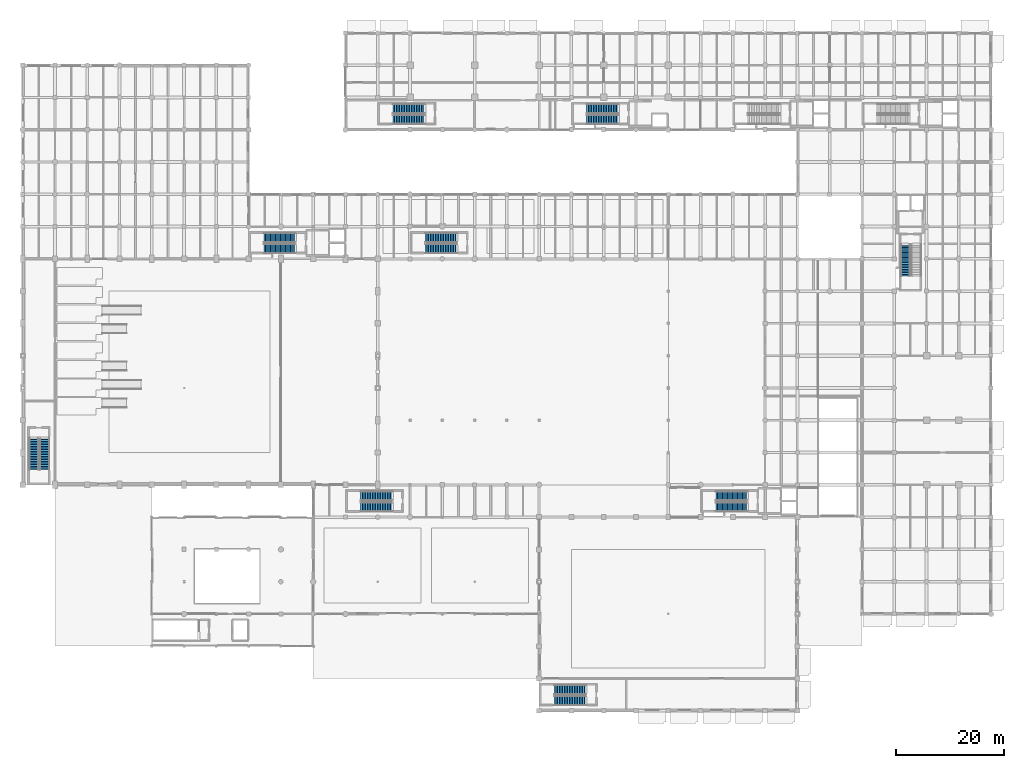
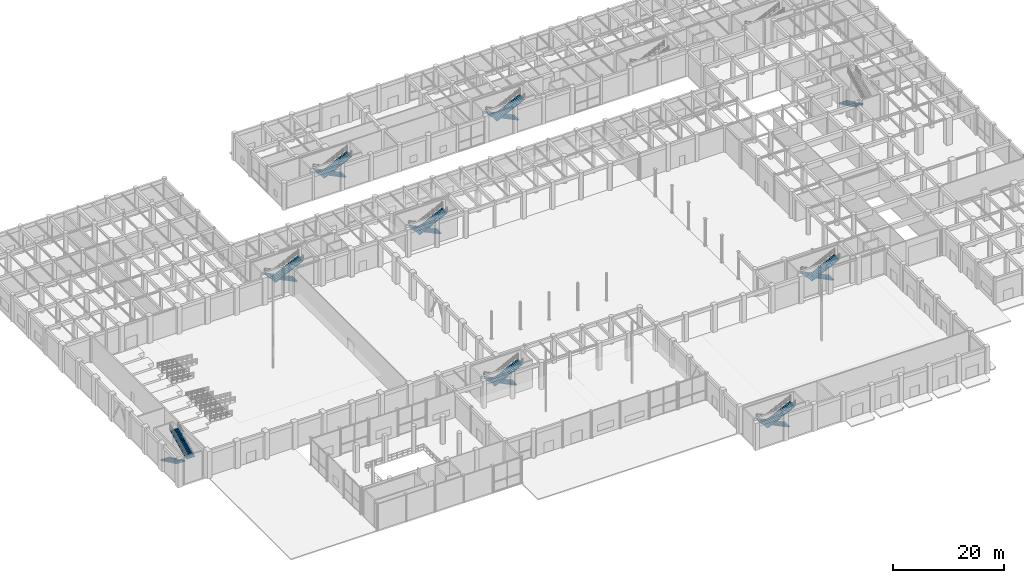
# One storey, part 92 of 106: 17 stair flights, 9 elements without a shape of their own.
"""IFC4 building model written with IfcOpenShell, lengths in metres."""

from ifc_helpers import new_model, si_unit, direction, frame, origin, place, context, subcontext, project, spatial, polyline, outline, extrude, material, type_object, element, aggregate, save


model = new_model("IFC4")

# Units and contexts
model_context = context("Model", 3, precision=1e-05, world=origin(), true_north=direction((0.0, 1.0)))
body_context = subcontext(model_context, "Body", "Model", "MODEL_VIEW")
ifc_project = project(units=[si_unit("LENGTHUNIT", "METRE"), si_unit("AREAUNIT", "SQUARE_METRE"), si_unit("VOLUMEUNIT", "CUBIC_METRE"), si_unit("PLANEANGLEUNIT", "RADIAN"), si_unit("MASSUNIT", "GRAM", prefix="KILO"), si_unit("THERMODYNAMICTEMPERATUREUNIT", "KELVIN"), si_unit("POWERUNIT", "WATT")], contexts=[model_context])

# Site, building, storey
site_placement = place(None, origin())
site = spatial("IfcSite", under=ifc_project, at=site_placement, CompositionType="ELEMENT")
building_placement = place(site_placement, origin())
building = spatial("IfcBuilding", under=site, at=building_placement, Name="Phaisarnlok Congress Hotel", CompositionType="ELEMENT")
storey_placement = place(building_placement, origin())
storey = spatial("IfcBuildingStorey", under=building, at=storey_placement, Name="L00", CompositionType="ELEMENT", Elevation=0.0)

# Stair, stair flights
ifc_material = material(Name="Concrete C40/50", Category="concrete")
stair_type = type_object("IfcStairType", Name="STR-DOG-02", PredefinedType="HALF_TURN_STAIR", material=ifc_material)
stair_1_placement = place(storey_placement, origin())
stair_1 = element("IfcStair", 1, at=stair_1_placement, inside=storey, type_object=stair_type, Name="L00 ST-01", PredefinedType="HALF_TURN_STAIR")
stair_flight_type = type_object("IfcStairFlightType", Name="SFL-RC-02", PredefinedType="STRAIGHT", material=ifc_material)
stair_flight_1_placement = place(storey_placement, frame((50.719970703125, 87.909912109375, 0.0), z_axis=(0.0, 0.0, 1.0), x_axis=(-1.0, 0.0, 0.0)))
stair_flight_1 = element("IfcStairFlight", 2, at=stair_flight_1_placement, type_object=stair_flight_type, Name="ST-01 flight 1", NumberOfRisers=20, NumberOfTreads=19, PredefinedType="STRAIGHT", RiserHeight=0.15, TreadLength=0.31, context=body_context, shape_type="SweptSolid", body=[
    extrude(outline(polyline([(0.0, 0.0), (0.0, 0.14990234375), (0.31005859375, 0.14990234375), (0.31005859375, 0.300048828125), (0.6201171875, 0.300048828125), (0.6201171875, 0.449951171875), (0.929931640625, 0.449951171875), (0.929931640625, 0.60009765625), (1.239990234375, 0.60009765625), (1.239990234375, 0.75), (1.550048828125, 0.75), (1.550048828125, 0.89990234375), (1.860107421875, 0.89990234375), (1.860107421875, 1.050048828125), (2.169921875, 1.050048828125), (2.169921875, 1.199951171875), (2.47998046875, 1.199951171875), (2.47998046875, 1.35009765625), (2.7900390625, 1.35009765625), (2.7900390625, 1.5), (3.10009765625, 1.5), (3.10009765625, 1.64990234375), (3.409912109375, 1.64990234375), (3.409912109375, 1.800048828125), (3.719970703125, 1.800048828125), (3.719970703125, 1.949951171875), (4.030029296875, 1.949951171875), (4.030029296875, 2.10009765625), (4.340087890625, 2.10009765625), (4.340087890625, 2.25), (4.64990234375, 2.25), (4.64990234375, 2.39990234375), (4.9599609375, 2.39990234375), (4.9599609375, 2.550048828125), (5.27001953125, 2.550048828125), (5.27001953125, 2.699951171875), (5.580078125, 2.699951171875), (5.580078125, 2.85009765625), (5.889892578125, 2.85009765625), (5.889892578125, 3.0), (5.889892578125, 2.683349609375), (0.34423828125, 0.0), (0.0, 0.0)])), frame((0.0, 0.89013671875, 0.0), z_axis=(0.0, -1.0, 0.0), x_axis=(1.0, 0.0, 0.0)), (0.0, 0.0, 1.0), 1.780029296875),
])
stair_flight_2_placement = place(storey_placement, frame((44.830078125, 85.889892578125, 3.0), z_axis=(0.0, 0.0, 1.0), x_axis=(1.0, 0.0, 0.0)))
stair_flight_2 = element("IfcStairFlight", 3, at=stair_flight_2_placement, type_object=stair_flight_type, Name="ST-01 flight 2", NumberOfRisers=20, NumberOfTreads=19, PredefinedType="STRAIGHT", RiserHeight=0.15, TreadLength=0.31, context=body_context, shape_type="SweptSolid", body=[
    extrude(outline(polyline([(0.0, 0.0), (0.0, 0.14990234375), (0.31005859375, 0.14990234375), (0.31005859375, 0.300048828125), (0.6201171875, 0.300048828125), (0.6201171875, 0.449951171875), (0.929931640625, 0.449951171875), (0.929931640625, 0.60009765625), (1.239990234375, 0.60009765625), (1.239990234375, 0.75), (1.550048828125, 0.75), (1.550048828125, 0.89990234375), (1.860107421875, 0.89990234375), (1.860107421875, 1.050048828125), (2.169921875, 1.050048828125), (2.169921875, 1.199951171875), (2.47998046875, 1.199951171875), (2.47998046875, 1.35009765625), (2.7900390625, 1.35009765625), (2.7900390625, 1.5), (3.10009765625, 1.5), (3.10009765625, 1.64990234375), (3.409912109375, 1.64990234375), (3.409912109375, 1.800048828125), (3.719970703125, 1.800048828125), (3.719970703125, 1.949951171875), (4.030029296875, 1.949951171875), (4.030029296875, 2.10009765625), (4.340087890625, 2.10009765625), (4.340087890625, 2.25), (4.64990234375, 2.25), (4.64990234375, 2.39990234375), (4.9599609375, 2.39990234375), (4.9599609375, 2.550048828125), (5.27001953125, 2.550048828125), (5.27001953125, 2.699951171875), (5.580078125, 2.699951171875), (5.580078125, 2.85009765625), (5.889892578125, 2.85009765625), (5.889892578125, 3.0), (5.889892578125, 2.683349609375), (0.34423828125, 0.0), (0.0, 0.0)])), frame((0.0, 0.89013671875, 0.0), z_axis=(0.0, -1.0, 0.0), x_axis=(1.0, 0.0, 0.0)), (0.0, 0.0, 1.0), 1.780029296875),
])
aggregate(stair_1, [stair_flight_1, stair_flight_2])

stair_2_placement = place(storey_placement, origin())
stair_2 = element("IfcStair", 4, at=stair_2_placement, inside=storey, type_object=stair_type, Name="L00 ST-02", PredefinedType="HALF_TURN_STAIR")
stair_flight_3_placement = place(storey_placement, frame((134.719970703125, 39.909912109375, 0.0), z_axis=(0.0, 0.0, 1.0), x_axis=(-1.0, 0.0, 0.0)))
stair_flight_3 = element("IfcStairFlight", 5, at=stair_flight_3_placement, type_object=stair_flight_type, Name="ST-02 flight 1", NumberOfRisers=20, NumberOfTreads=19, PredefinedType="STRAIGHT", RiserHeight=0.15, TreadLength=0.31, context=body_context, shape_type="SweptSolid", body=[
    extrude(outline(polyline([(0.0, 0.0), (0.0, 0.14990234375), (0.31005859375, 0.14990234375), (0.31005859375, 0.300048828125), (0.6201171875, 0.300048828125), (0.6201171875, 0.449951171875), (0.929931640625, 0.449951171875), (0.929931640625, 0.60009765625), (1.239990234375, 0.60009765625), (1.239990234375, 0.75), (1.550048828125, 0.75), (1.550048828125, 0.89990234375), (1.860107421875, 0.89990234375), (1.860107421875, 1.050048828125), (2.169921875, 1.050048828125), (2.169921875, 1.199951171875), (2.47998046875, 1.199951171875), (2.47998046875, 1.35009765625), (2.7900390625, 1.35009765625), (2.7900390625, 1.5), (3.10009765625, 1.5), (3.10009765625, 1.64990234375), (3.409912109375, 1.64990234375), (3.409912109375, 1.800048828125), (3.719970703125, 1.800048828125), (3.719970703125, 1.949951171875), (4.030029296875, 1.949951171875), (4.030029296875, 2.10009765625), (4.340087890625, 2.10009765625), (4.340087890625, 2.25), (4.64990234375, 2.25), (4.64990234375, 2.39990234375), (4.9599609375, 2.39990234375), (4.9599609375, 2.550048828125), (5.27001953125, 2.550048828125), (5.27001953125, 2.699951171875), (5.580078125, 2.699951171875), (5.580078125, 2.85009765625), (5.889892578125, 2.85009765625), (5.889892578125, 3.0), (5.889892578125, 2.683349609375), (0.34423828125, 0.0), (0.0, 0.0)])), frame((0.0, 0.89013671875, 0.0), z_axis=(0.0, -1.0, 0.0), x_axis=(1.0, 0.0, 0.0)), (0.0, 0.0, 1.0), 1.780029296875),
])
stair_flight_4_placement = place(storey_placement, frame((128.830078125, 37.889892578125, 3.0), z_axis=(0.0, 0.0, 1.0), x_axis=(1.0, 0.0, 0.0)))
stair_flight_4 = element("IfcStairFlight", 6, at=stair_flight_4_placement, type_object=stair_flight_type, Name="ST-02 flight 2", NumberOfRisers=20, NumberOfTreads=19, PredefinedType="STRAIGHT", RiserHeight=0.15, TreadLength=0.31, context=body_context, shape_type="SweptSolid", body=[
    extrude(outline(polyline([(0.0, 0.0), (0.0, 0.14990234375), (0.31005859375, 0.14990234375), (0.31005859375, 0.300048828125), (0.6201171875, 0.300048828125), (0.6201171875, 0.449951171875), (0.929931640625, 0.449951171875), (0.929931640625, 0.60009765625), (1.239990234375, 0.60009765625), (1.239990234375, 0.75), (1.550048828125, 0.75), (1.550048828125, 0.89990234375), (1.860107421875, 0.89990234375), (1.860107421875, 1.050048828125), (2.169921875, 1.050048828125), (2.169921875, 1.199951171875), (2.47998046875, 1.199951171875), (2.47998046875, 1.35009765625), (2.7900390625, 1.35009765625), (2.7900390625, 1.5), (3.10009765625, 1.5), (3.10009765625, 1.64990234375), (3.409912109375, 1.64990234375), (3.409912109375, 1.800048828125), (3.719970703125, 1.800048828125), (3.719970703125, 1.949951171875), (4.030029296875, 1.949951171875), (4.030029296875, 2.10009765625), (4.340087890625, 2.10009765625), (4.340087890625, 2.25), (4.64990234375, 2.25), (4.64990234375, 2.39990234375), (4.9599609375, 2.39990234375), (4.9599609375, 2.550048828125), (5.27001953125, 2.550048828125), (5.27001953125, 2.699951171875), (5.580078125, 2.699951171875), (5.580078125, 2.85009765625), (5.889892578125, 2.85009765625), (5.889892578125, 3.0), (5.889892578125, 2.683349609375), (0.34423828125, 0.0), (0.0, 0.0)])), frame((0.0, 0.89013671875, 0.0), z_axis=(0.0, -1.0, 0.0), x_axis=(1.0, 0.0, 0.0)), (0.0, 0.0, 1.0), 1.780029296875),
])
aggregate(stair_2, [stair_flight_3, stair_flight_4])

stair_3_placement = place(storey_placement, origin())
stair_3 = element("IfcStair", 7, at=stair_3_placement, inside=storey, type_object=stair_type, Name="L00 ST-03", PredefinedType="HALF_TURN_STAIR")
stair_flight_5_placement = place(storey_placement, frame((2.090087890625, 50.719970703125, 0.0), z_axis=(0.0, 0.0, 1.0), x_axis=(0.0, -1.0, 0.0)))
stair_flight_5 = element("IfcStairFlight", 8, at=stair_flight_5_placement, type_object=stair_flight_type, Name="ST-03 flight 1", NumberOfRisers=20, NumberOfTreads=19, PredefinedType="STRAIGHT", RiserHeight=0.15, TreadLength=0.31, context=body_context, shape_type="SweptSolid", body=[
    extrude(outline(polyline([(0.0, 0.0), (0.0, 0.14990234375), (0.31005859375, 0.14990234375), (0.31005859375, 0.300048828125), (0.6201171875, 0.300048828125), (0.6201171875, 0.449951171875), (0.929931640625, 0.449951171875), (0.929931640625, 0.60009765625), (1.239990234375, 0.60009765625), (1.239990234375, 0.75), (1.550048828125, 0.75), (1.550048828125, 0.89990234375), (1.860107421875, 0.89990234375), (1.860107421875, 1.050048828125), (2.169921875, 1.050048828125), (2.169921875, 1.199951171875), (2.47998046875, 1.199951171875), (2.47998046875, 1.35009765625), (2.7900390625, 1.35009765625), (2.7900390625, 1.5), (3.10009765625, 1.5), (3.10009765625, 1.64990234375), (3.409912109375, 1.64990234375), (3.409912109375, 1.800048828125), (3.719970703125, 1.800048828125), (3.719970703125, 1.949951171875), (4.030029296875, 1.949951171875), (4.030029296875, 2.10009765625), (4.340087890625, 2.10009765625), (4.340087890625, 2.25), (4.64990234375, 2.25), (4.64990234375, 2.39990234375), (4.9599609375, 2.39990234375), (4.9599609375, 2.550048828125), (5.27001953125, 2.550048828125), (5.27001953125, 2.699951171875), (5.580078125, 2.699951171875), (5.580078125, 2.85009765625), (5.889892578125, 2.85009765625), (5.889892578125, 3.0), (5.889892578125, 2.683349609375), (0.34423828125, 0.0), (0.0, 0.0)])), frame((0.0, 0.89013671875, 0.0), z_axis=(0.0, -1.0, 0.0), x_axis=(1.0, 0.0, 0.0)), (0.0, 0.0, 1.0), 1.780029296875),
])
stair_flight_6_placement = place(storey_placement, frame((4.110107421875, 44.830078125, 3.0), z_axis=(0.0, 0.0, 1.0), x_axis=(0.0, 1.0, 0.0)))
stair_flight_6 = element("IfcStairFlight", 9, at=stair_flight_6_placement, type_object=stair_flight_type, Name="ST-03 flight 2", NumberOfRisers=20, NumberOfTreads=19, PredefinedType="STRAIGHT", RiserHeight=0.15, TreadLength=0.31, context=body_context, shape_type="SweptSolid", body=[
    extrude(outline(polyline([(0.0, 0.0), (0.0, 0.14990234375), (0.31005859375, 0.14990234375), (0.31005859375, 0.300048828125), (0.6201171875, 0.300048828125), (0.6201171875, 0.449951171875), (0.929931640625, 0.449951171875), (0.929931640625, 0.60009765625), (1.239990234375, 0.60009765625), (1.239990234375, 0.75), (1.550048828125, 0.75), (1.550048828125, 0.89990234375), (1.860107421875, 0.89990234375), (1.860107421875, 1.050048828125), (2.169921875, 1.050048828125), (2.169921875, 1.199951171875), (2.47998046875, 1.199951171875), (2.47998046875, 1.35009765625), (2.7900390625, 1.35009765625), (2.7900390625, 1.5), (3.10009765625, 1.5), (3.10009765625, 1.64990234375), (3.409912109375, 1.64990234375), (3.409912109375, 1.800048828125), (3.719970703125, 1.800048828125), (3.719970703125, 1.949951171875), (4.030029296875, 1.949951171875), (4.030029296875, 2.10009765625), (4.340087890625, 2.10009765625), (4.340087890625, 2.25), (4.64990234375, 2.25), (4.64990234375, 2.39990234375), (4.9599609375, 2.39990234375), (4.9599609375, 2.550048828125), (5.27001953125, 2.550048828125), (5.27001953125, 2.699951171875), (5.580078125, 2.699951171875), (5.580078125, 2.85009765625), (5.889892578125, 2.85009765625), (5.889892578125, 3.0), (5.889892578125, 2.683349609375), (0.34423828125, 0.0), (0.0, 0.0)])), frame((0.0, 0.89013671875, 0.0), z_axis=(0.0, -1.0, 0.0), x_axis=(1.0, 0.0, 0.0)), (0.0, 0.0, 1.0), 1.780029296875),
])
aggregate(stair_3, [stair_flight_5, stair_flight_6])

stair_4_placement = place(storey_placement, origin())
stair_4 = element("IfcStair", 10, at=stair_4_placement, inside=storey, type_object=stair_type, Name="L00 ST-04", PredefinedType="HALF_TURN_STAIR")
stair_flight_7_placement = place(storey_placement, frame((104.719970703125, 3.909912109375, 0.0), z_axis=(0.0, 0.0, 1.0), x_axis=(-1.0, 0.0, 0.0)))
stair_flight_7 = element("IfcStairFlight", 11, at=stair_flight_7_placement, type_object=stair_flight_type, Name="ST-04 flight 1", NumberOfRisers=20, NumberOfTreads=19, PredefinedType="STRAIGHT", RiserHeight=0.15, TreadLength=0.31, context=body_context, shape_type="SweptSolid", body=[
    extrude(outline(polyline([(0.0, 0.0), (0.0, 0.14990234375), (0.31005859375, 0.14990234375), (0.31005859375, 0.300048828125), (0.6201171875, 0.300048828125), (0.6201171875, 0.449951171875), (0.929931640625, 0.449951171875), (0.929931640625, 0.60009765625), (1.239990234375, 0.60009765625), (1.239990234375, 0.75), (1.550048828125, 0.75), (1.550048828125, 0.89990234375), (1.860107421875, 0.89990234375), (1.860107421875, 1.050048828125), (2.169921875, 1.050048828125), (2.169921875, 1.199951171875), (2.47998046875, 1.199951171875), (2.47998046875, 1.35009765625), (2.7900390625, 1.35009765625), (2.7900390625, 1.5), (3.10009765625, 1.5), (3.10009765625, 1.64990234375), (3.409912109375, 1.64990234375), (3.409912109375, 1.800048828125), (3.719970703125, 1.800048828125), (3.719970703125, 1.949951171875), (4.030029296875, 1.949951171875), (4.030029296875, 2.10009765625), (4.340087890625, 2.10009765625), (4.340087890625, 2.25), (4.64990234375, 2.25), (4.64990234375, 2.39990234375), (4.9599609375, 2.39990234375), (4.9599609375, 2.550048828125), (5.27001953125, 2.550048828125), (5.27001953125, 2.699951171875), (5.580078125, 2.699951171875), (5.580078125, 2.85009765625), (5.889892578125, 2.85009765625), (5.889892578125, 3.0), (5.889892578125, 2.683349609375), (0.34423828125, 0.0), (0.0, 0.0)])), frame((0.0, 0.89013671875, 0.0), z_axis=(0.0, -1.0, 0.0), x_axis=(1.0, 0.0, 0.0)), (0.0, 0.0, 1.0), 1.780029296875),
])
stair_flight_8_placement = place(storey_placement, frame((98.830078125, 1.889892578125, 3.0), z_axis=(0.0, 0.0, 1.0), x_axis=(1.0, 0.0, 0.0)))
stair_flight_8 = element("IfcStairFlight", 12, at=stair_flight_8_placement, type_object=stair_flight_type, Name="ST-04 flight 2", NumberOfRisers=20, NumberOfTreads=19, PredefinedType="STRAIGHT", RiserHeight=0.15, TreadLength=0.31, context=body_context, shape_type="SweptSolid", body=[
    extrude(outline(polyline([(0.0, 0.0), (0.0, 0.14990234375), (0.31005859375, 0.14990234375), (0.31005859375, 0.300048828125), (0.6201171875, 0.300048828125), (0.6201171875, 0.449951171875), (0.929931640625, 0.449951171875), (0.929931640625, 0.60009765625), (1.239990234375, 0.60009765625), (1.239990234375, 0.75), (1.550048828125, 0.75), (1.550048828125, 0.89990234375), (1.860107421875, 0.89990234375), (1.860107421875, 1.050048828125), (2.169921875, 1.050048828125), (2.169921875, 1.199951171875), (2.47998046875, 1.199951171875), (2.47998046875, 1.35009765625), (2.7900390625, 1.35009765625), (2.7900390625, 1.5), (3.10009765625, 1.5), (3.10009765625, 1.64990234375), (3.409912109375, 1.64990234375), (3.409912109375, 1.800048828125), (3.719970703125, 1.800048828125), (3.719970703125, 1.949951171875), (4.030029296875, 1.949951171875), (4.030029296875, 2.10009765625), (4.340087890625, 2.10009765625), (4.340087890625, 2.25), (4.64990234375, 2.25), (4.64990234375, 2.39990234375), (4.9599609375, 2.39990234375), (4.9599609375, 2.550048828125), (5.27001953125, 2.550048828125), (5.27001953125, 2.699951171875), (5.580078125, 2.699951171875), (5.580078125, 2.85009765625), (5.889892578125, 2.85009765625), (5.889892578125, 3.0), (5.889892578125, 2.683349609375), (0.34423828125, 0.0), (0.0, 0.0)])), frame((0.0, 0.89013671875, 0.0), z_axis=(0.0, -1.0, 0.0), x_axis=(1.0, 0.0, 0.0)), (0.0, 0.0, 1.0), 1.780029296875),
])
aggregate(stair_4, [stair_flight_7, stair_flight_8])

stair_5_placement = place(storey_placement, origin())
stair_5 = element("IfcStair", 13, at=stair_5_placement, inside=storey, type_object=stair_type, Name="L00 ST-07", PredefinedType="HALF_TURN_STAIR")
stair_flight_9_placement = place(storey_placement, frame((110.719970703125, 111.909912109375, 0.0), z_axis=(0.0, 0.0, 1.0), x_axis=(-1.0, 0.0, 0.0)))
stair_flight_9 = element("IfcStairFlight", 14, at=stair_flight_9_placement, type_object=stair_flight_type, Name="ST-07 flight 1", NumberOfRisers=20, NumberOfTreads=19, PredefinedType="STRAIGHT", RiserHeight=0.15, TreadLength=0.31, context=body_context, shape_type="SweptSolid", body=[
    extrude(outline(polyline([(0.0, 0.0), (0.0, 0.14990234375), (0.31005859375, 0.14990234375), (0.31005859375, 0.300048828125), (0.6201171875, 0.300048828125), (0.6201171875, 0.449951171875), (0.929931640625, 0.449951171875), (0.929931640625, 0.60009765625), (1.239990234375, 0.60009765625), (1.239990234375, 0.75), (1.550048828125, 0.75), (1.550048828125, 0.89990234375), (1.860107421875, 0.89990234375), (1.860107421875, 1.050048828125), (2.169921875, 1.050048828125), (2.169921875, 1.199951171875), (2.47998046875, 1.199951171875), (2.47998046875, 1.35009765625), (2.7900390625, 1.35009765625), (2.7900390625, 1.5), (3.10009765625, 1.5), (3.10009765625, 1.64990234375), (3.409912109375, 1.64990234375), (3.409912109375, 1.800048828125), (3.719970703125, 1.800048828125), (3.719970703125, 1.949951171875), (4.030029296875, 1.949951171875), (4.030029296875, 2.10009765625), (4.340087890625, 2.10009765625), (4.340087890625, 2.25), (4.64990234375, 2.25), (4.64990234375, 2.39990234375), (4.9599609375, 2.39990234375), (4.9599609375, 2.550048828125), (5.27001953125, 2.550048828125), (5.27001953125, 2.699951171875), (5.580078125, 2.699951171875), (5.580078125, 2.85009765625), (5.889892578125, 2.85009765625), (5.889892578125, 3.0), (5.889892578125, 2.683349609375), (0.34423828125, 0.0), (0.0, 0.0)])), frame((0.0, 0.89013671875, 0.0), z_axis=(0.0, -1.0, 0.0), x_axis=(1.0, 0.0, 0.0)), (0.0, 0.0, 1.0), 1.780029296875),
])
stair_flight_10_placement = place(storey_placement, frame((104.830078125, 109.889892578125, 3.0), z_axis=(0.0, 0.0, 1.0), x_axis=(1.0, 0.0, 0.0)))
stair_flight_10 = element("IfcStairFlight", 15, at=stair_flight_10_placement, type_object=stair_flight_type, Name="ST-07 flight 2", NumberOfRisers=20, NumberOfTreads=19, PredefinedType="STRAIGHT", RiserHeight=0.15, TreadLength=0.31, context=body_context, shape_type="SweptSolid", body=[
    extrude(outline(polyline([(0.0, 0.0), (0.0, 0.14990234375), (0.31005859375, 0.14990234375), (0.31005859375, 0.300048828125), (0.6201171875, 0.300048828125), (0.6201171875, 0.449951171875), (0.929931640625, 0.449951171875), (0.929931640625, 0.60009765625), (1.239990234375, 0.60009765625), (1.239990234375, 0.75), (1.550048828125, 0.75), (1.550048828125, 0.89990234375), (1.860107421875, 0.89990234375), (1.860107421875, 1.050048828125), (2.169921875, 1.050048828125), (2.169921875, 1.199951171875), (2.47998046875, 1.199951171875), (2.47998046875, 1.35009765625), (2.7900390625, 1.35009765625), (2.7900390625, 1.5), (3.10009765625, 1.5), (3.10009765625, 1.64990234375), (3.409912109375, 1.64990234375), (3.409912109375, 1.800048828125), (3.719970703125, 1.800048828125), (3.719970703125, 1.949951171875), (4.030029296875, 1.949951171875), (4.030029296875, 2.10009765625), (4.340087890625, 2.10009765625), (4.340087890625, 2.25), (4.64990234375, 2.25), (4.64990234375, 2.39990234375), (4.9599609375, 2.39990234375), (4.9599609375, 2.550048828125), (5.27001953125, 2.550048828125), (5.27001953125, 2.699951171875), (5.580078125, 2.699951171875), (5.580078125, 2.85009765625), (5.889892578125, 2.85009765625), (5.889892578125, 3.0), (5.889892578125, 2.683349609375), (0.34423828125, 0.0), (0.0, 0.0)])), frame((0.0, 0.89013671875, 0.0), z_axis=(0.0, -1.0, 0.0), x_axis=(1.0, 0.0, 0.0)), (0.0, 0.0, 1.0), 1.780029296875),
])
aggregate(stair_5, [stair_flight_9, stair_flight_10])

# Stair, stair flight
stair_6_placement = place(storey_placement, origin())
stair_6 = element("IfcStair", 16, at=stair_6_placement, inside=storey, type_object=stair_type, Name="L00 ST-09", PredefinedType="HALF_TURN_STAIR")
stair_flight_11_placement = place(storey_placement, frame((164.090087890625, 86.719970703125, 0.0), z_axis=(0.0, 0.0, 1.0), x_axis=(0.0, -1.0, 0.0)))
stair_flight_11 = element("IfcStairFlight", 17, at=stair_flight_11_placement, type_object=stair_flight_type, Name="ST-09 flight 1", NumberOfRisers=20, NumberOfTreads=19, PredefinedType="STRAIGHT", RiserHeight=0.15, TreadLength=0.31, context=body_context, shape_type="SweptSolid", body=[
    extrude(outline(polyline([(0.0, 0.0), (0.0, 0.14990234375), (0.31005859375, 0.14990234375), (0.31005859375, 0.300048828125), (0.6201171875, 0.300048828125), (0.6201171875, 0.449951171875), (0.929931640625, 0.449951171875), (0.929931640625, 0.60009765625), (1.239990234375, 0.60009765625), (1.239990234375, 0.75), (1.550048828125, 0.75), (1.550048828125, 0.89990234375), (1.860107421875, 0.89990234375), (1.860107421875, 1.050048828125), (2.169921875, 1.050048828125), (2.169921875, 1.199951171875), (2.47998046875, 1.199951171875), (2.47998046875, 1.35009765625), (2.7900390625, 1.35009765625), (2.7900390625, 1.5), (3.10009765625, 1.5), (3.10009765625, 1.64990234375), (3.409912109375, 1.64990234375), (3.409912109375, 1.800048828125), (3.719970703125, 1.800048828125), (3.719970703125, 1.949951171875), (4.030029296875, 1.949951171875), (4.030029296875, 2.10009765625), (4.340087890625, 2.10009765625), (4.340087890625, 2.25), (4.64990234375, 2.25), (4.64990234375, 2.39990234375), (4.9599609375, 2.39990234375), (4.9599609375, 2.550048828125), (5.27001953125, 2.550048828125), (5.27001953125, 2.699951171875), (5.580078125, 2.699951171875), (5.580078125, 2.85009765625), (5.889892578125, 2.85009765625), (5.889892578125, 3.0), (5.889892578125, 2.683349609375), (0.34423828125, 0.0), (0.0, 0.0)])), frame((0.0, 0.89013671875, 0.0), z_axis=(0.0, -1.0, 0.0), x_axis=(1.0, 0.0, 0.0)), (0.0, 0.0, 1.0), 1.780029296875),
])
aggregate(stair_6, [stair_flight_11])

# Stair, stair flights
stair_7_placement = place(storey_placement, origin())
stair_7 = element("IfcStair", 18, at=stair_7_placement, inside=storey, type_object=stair_type, Name="L00 ST-10", PredefinedType="HALF_TURN_STAIR")
stair_flight_12_placement = place(storey_placement, frame((74.719970703125, 111.909912109375, 0.0), z_axis=(0.0, 0.0, 1.0), x_axis=(-1.0, 0.0, 0.0)))
stair_flight_12 = element("IfcStairFlight", 19, at=stair_flight_12_placement, type_object=stair_flight_type, Name="ST-10 flight 1", NumberOfRisers=20, NumberOfTreads=19, PredefinedType="STRAIGHT", RiserHeight=0.15, TreadLength=0.31, context=body_context, shape_type="SweptSolid", body=[
    extrude(outline(polyline([(0.0, 0.0), (0.0, 0.14990234375), (0.31005859375, 0.14990234375), (0.31005859375, 0.300048828125), (0.6201171875, 0.300048828125), (0.6201171875, 0.449951171875), (0.929931640625, 0.449951171875), (0.929931640625, 0.60009765625), (1.239990234375, 0.60009765625), (1.239990234375, 0.75), (1.550048828125, 0.75), (1.550048828125, 0.89990234375), (1.860107421875, 0.89990234375), (1.860107421875, 1.050048828125), (2.169921875, 1.050048828125), (2.169921875, 1.199951171875), (2.47998046875, 1.199951171875), (2.47998046875, 1.35009765625), (2.7900390625, 1.35009765625), (2.7900390625, 1.5), (3.10009765625, 1.5), (3.10009765625, 1.64990234375), (3.409912109375, 1.64990234375), (3.409912109375, 1.800048828125), (3.719970703125, 1.800048828125), (3.719970703125, 1.949951171875), (4.030029296875, 1.949951171875), (4.030029296875, 2.10009765625), (4.340087890625, 2.10009765625), (4.340087890625, 2.25), (4.64990234375, 2.25), (4.64990234375, 2.39990234375), (4.9599609375, 2.39990234375), (4.9599609375, 2.550048828125), (5.27001953125, 2.550048828125), (5.27001953125, 2.699951171875), (5.580078125, 2.699951171875), (5.580078125, 2.85009765625), (5.889892578125, 2.85009765625), (5.889892578125, 3.0), (5.889892578125, 2.683349609375), (0.34423828125, 0.0), (0.0, 0.0)])), frame((0.0, 0.89013671875, 0.0), z_axis=(0.0, -1.0, 0.0), x_axis=(1.0, 0.0, 0.0)), (0.0, 0.0, 1.0), 1.780029296875),
])
stair_flight_13_placement = place(storey_placement, frame((68.830078125, 109.889892578125, 3.0), z_axis=(0.0, 0.0, 1.0), x_axis=(1.0, 0.0, 0.0)))
stair_flight_13 = element("IfcStairFlight", 20, at=stair_flight_13_placement, type_object=stair_flight_type, Name="ST-10 flight 2", NumberOfRisers=20, NumberOfTreads=19, PredefinedType="STRAIGHT", RiserHeight=0.15, TreadLength=0.31, context=body_context, shape_type="SweptSolid", body=[
    extrude(outline(polyline([(0.0, 0.0), (0.0, 0.14990234375), (0.31005859375, 0.14990234375), (0.31005859375, 0.300048828125), (0.6201171875, 0.300048828125), (0.6201171875, 0.449951171875), (0.929931640625, 0.449951171875), (0.929931640625, 0.60009765625), (1.239990234375, 0.60009765625), (1.239990234375, 0.75), (1.550048828125, 0.75), (1.550048828125, 0.89990234375), (1.860107421875, 0.89990234375), (1.860107421875, 1.050048828125), (2.169921875, 1.050048828125), (2.169921875, 1.199951171875), (2.47998046875, 1.199951171875), (2.47998046875, 1.35009765625), (2.7900390625, 1.35009765625), (2.7900390625, 1.5), (3.10009765625, 1.5), (3.10009765625, 1.64990234375), (3.409912109375, 1.64990234375), (3.409912109375, 1.800048828125), (3.719970703125, 1.800048828125), (3.719970703125, 1.949951171875), (4.030029296875, 1.949951171875), (4.030029296875, 2.10009765625), (4.340087890625, 2.10009765625), (4.340087890625, 2.25), (4.64990234375, 2.25), (4.64990234375, 2.39990234375), (4.9599609375, 2.39990234375), (4.9599609375, 2.550048828125), (5.27001953125, 2.550048828125), (5.27001953125, 2.699951171875), (5.580078125, 2.699951171875), (5.580078125, 2.85009765625), (5.889892578125, 2.85009765625), (5.889892578125, 3.0), (5.889892578125, 2.683349609375), (0.34423828125, 0.0), (0.0, 0.0)])), frame((0.0, 0.89013671875, 0.0), z_axis=(0.0, -1.0, 0.0), x_axis=(1.0, 0.0, 0.0)), (0.0, 0.0, 1.0), 1.780029296875),
])
aggregate(stair_7, [stair_flight_12, stair_flight_13])

stair_8_placement = place(storey_placement, origin())
stair_8 = element("IfcStair", 21, at=stair_8_placement, inside=storey, type_object=stair_type, Name="L00 ST-11", PredefinedType="HALF_TURN_STAIR")
stair_flight_14_placement = place(storey_placement, frame((80.719970703125, 87.909912109375, 0.0), z_axis=(0.0, 0.0, 1.0), x_axis=(-1.0, 0.0, 0.0)))
stair_flight_14 = element("IfcStairFlight", 22, at=stair_flight_14_placement, type_object=stair_flight_type, Name="ST-11 flight 1", NumberOfRisers=20, NumberOfTreads=19, PredefinedType="STRAIGHT", RiserHeight=0.15, TreadLength=0.31, context=body_context, shape_type="SweptSolid", body=[
    extrude(outline(polyline([(0.0, 0.0), (0.0, 0.14990234375), (0.31005859375, 0.14990234375), (0.31005859375, 0.300048828125), (0.6201171875, 0.300048828125), (0.6201171875, 0.449951171875), (0.929931640625, 0.449951171875), (0.929931640625, 0.60009765625), (1.239990234375, 0.60009765625), (1.239990234375, 0.75), (1.550048828125, 0.75), (1.550048828125, 0.89990234375), (1.860107421875, 0.89990234375), (1.860107421875, 1.050048828125), (2.169921875, 1.050048828125), (2.169921875, 1.199951171875), (2.47998046875, 1.199951171875), (2.47998046875, 1.35009765625), (2.7900390625, 1.35009765625), (2.7900390625, 1.5), (3.10009765625, 1.5), (3.10009765625, 1.64990234375), (3.409912109375, 1.64990234375), (3.409912109375, 1.800048828125), (3.719970703125, 1.800048828125), (3.719970703125, 1.949951171875), (4.030029296875, 1.949951171875), (4.030029296875, 2.10009765625), (4.340087890625, 2.10009765625), (4.340087890625, 2.25), (4.64990234375, 2.25), (4.64990234375, 2.39990234375), (4.9599609375, 2.39990234375), (4.9599609375, 2.550048828125), (5.27001953125, 2.550048828125), (5.27001953125, 2.699951171875), (5.580078125, 2.699951171875), (5.580078125, 2.85009765625), (5.889892578125, 2.85009765625), (5.889892578125, 3.0), (5.889892578125, 2.683349609375), (0.34423828125, 0.0), (0.0, 0.0)])), frame((0.0, 0.89013671875, 0.0), z_axis=(0.0, -1.0, 0.0), x_axis=(1.0, 0.0, 0.0)), (0.0, 0.0, 1.0), 1.780029296875),
])
stair_flight_15_placement = place(storey_placement, frame((74.830078125, 85.889892578125, 3.0), z_axis=(0.0, 0.0, 1.0), x_axis=(1.0, 0.0, 0.0)))
stair_flight_15 = element("IfcStairFlight", 23, at=stair_flight_15_placement, type_object=stair_flight_type, Name="ST-11 flight 2", NumberOfRisers=20, NumberOfTreads=19, PredefinedType="STRAIGHT", RiserHeight=0.15, TreadLength=0.31, context=body_context, shape_type="SweptSolid", body=[
    extrude(outline(polyline([(0.0, 0.0), (0.0, 0.14990234375), (0.31005859375, 0.14990234375), (0.31005859375, 0.300048828125), (0.6201171875, 0.300048828125), (0.6201171875, 0.449951171875), (0.929931640625, 0.449951171875), (0.929931640625, 0.60009765625), (1.239990234375, 0.60009765625), (1.239990234375, 0.75), (1.550048828125, 0.75), (1.550048828125, 0.89990234375), (1.860107421875, 0.89990234375), (1.860107421875, 1.050048828125), (2.169921875, 1.050048828125), (2.169921875, 1.199951171875), (2.47998046875, 1.199951171875), (2.47998046875, 1.35009765625), (2.7900390625, 1.35009765625), (2.7900390625, 1.5), (3.10009765625, 1.5), (3.10009765625, 1.64990234375), (3.409912109375, 1.64990234375), (3.409912109375, 1.800048828125), (3.719970703125, 1.800048828125), (3.719970703125, 1.949951171875), (4.030029296875, 1.949951171875), (4.030029296875, 2.10009765625), (4.340087890625, 2.10009765625), (4.340087890625, 2.25), (4.64990234375, 2.25), (4.64990234375, 2.39990234375), (4.9599609375, 2.39990234375), (4.9599609375, 2.550048828125), (5.27001953125, 2.550048828125), (5.27001953125, 2.699951171875), (5.580078125, 2.699951171875), (5.580078125, 2.85009765625), (5.889892578125, 2.85009765625), (5.889892578125, 3.0), (5.889892578125, 2.683349609375), (0.34423828125, 0.0), (0.0, 0.0)])), frame((0.0, 0.89013671875, 0.0), z_axis=(0.0, -1.0, 0.0), x_axis=(1.0, 0.0, 0.0)), (0.0, 0.0, 1.0), 1.780029296875),
])
aggregate(stair_8, [stair_flight_14, stair_flight_15])

stair_9_placement = place(storey_placement, origin())
stair_9 = element("IfcStair", 24, at=stair_9_placement, inside=storey, type_object=stair_type, Name="L00 ST-12", PredefinedType="HALF_TURN_STAIR")
stair_flight_16_placement = place(storey_placement, frame((68.719970703125, 39.909912109375, 0.0), z_axis=(0.0, 0.0, 1.0), x_axis=(-1.0, 0.0, 0.0)))
stair_flight_16 = element("IfcStairFlight", 25, at=stair_flight_16_placement, type_object=stair_flight_type, Name="ST-12 flight 1", NumberOfRisers=20, NumberOfTreads=19, PredefinedType="STRAIGHT", RiserHeight=0.15, TreadLength=0.31, context=body_context, shape_type="SweptSolid", body=[
    extrude(outline(polyline([(0.0, 0.0), (0.0, 0.14990234375), (0.31005859375, 0.14990234375), (0.31005859375, 0.300048828125), (0.6201171875, 0.300048828125), (0.6201171875, 0.449951171875), (0.929931640625, 0.449951171875), (0.929931640625, 0.60009765625), (1.239990234375, 0.60009765625), (1.239990234375, 0.75), (1.550048828125, 0.75), (1.550048828125, 0.89990234375), (1.860107421875, 0.89990234375), (1.860107421875, 1.050048828125), (2.169921875, 1.050048828125), (2.169921875, 1.199951171875), (2.47998046875, 1.199951171875), (2.47998046875, 1.35009765625), (2.7900390625, 1.35009765625), (2.7900390625, 1.5), (3.10009765625, 1.5), (3.10009765625, 1.64990234375), (3.409912109375, 1.64990234375), (3.409912109375, 1.800048828125), (3.719970703125, 1.800048828125), (3.719970703125, 1.949951171875), (4.030029296875, 1.949951171875), (4.030029296875, 2.10009765625), (4.340087890625, 2.10009765625), (4.340087890625, 2.25), (4.64990234375, 2.25), (4.64990234375, 2.39990234375), (4.9599609375, 2.39990234375), (4.9599609375, 2.550048828125), (5.27001953125, 2.550048828125), (5.27001953125, 2.699951171875), (5.580078125, 2.699951171875), (5.580078125, 2.85009765625), (5.889892578125, 2.85009765625), (5.889892578125, 3.0), (5.889892578125, 2.683349609375), (0.34423828125, 0.0), (0.0, 0.0)])), frame((0.0, 0.89013671875, 0.0), z_axis=(0.0, -1.0, 0.0), x_axis=(1.0, 0.0, 0.0)), (0.0, 0.0, 1.0), 1.780029296875),
])
stair_flight_17_placement = place(storey_placement, frame((62.830078125, 37.889892578125, 3.0), z_axis=(0.0, 0.0, 1.0), x_axis=(1.0, 0.0, 0.0)))
stair_flight_17 = element("IfcStairFlight", 26, at=stair_flight_17_placement, type_object=stair_flight_type, Name="ST-12 flight 2", NumberOfRisers=20, NumberOfTreads=19, PredefinedType="STRAIGHT", RiserHeight=0.15, TreadLength=0.31, context=body_context, shape_type="SweptSolid", body=[
    extrude(outline(polyline([(0.0, 0.0), (0.0, 0.14990234375), (0.31005859375, 0.14990234375), (0.31005859375, 0.300048828125), (0.6201171875, 0.300048828125), (0.6201171875, 0.449951171875), (0.929931640625, 0.449951171875), (0.929931640625, 0.60009765625), (1.239990234375, 0.60009765625), (1.239990234375, 0.75), (1.550048828125, 0.75), (1.550048828125, 0.89990234375), (1.860107421875, 0.89990234375), (1.860107421875, 1.050048828125), (2.169921875, 1.050048828125), (2.169921875, 1.199951171875), (2.47998046875, 1.199951171875), (2.47998046875, 1.35009765625), (2.7900390625, 1.35009765625), (2.7900390625, 1.5), (3.10009765625, 1.5), (3.10009765625, 1.64990234375), (3.409912109375, 1.64990234375), (3.409912109375, 1.800048828125), (3.719970703125, 1.800048828125), (3.719970703125, 1.949951171875), (4.030029296875, 1.949951171875), (4.030029296875, 2.10009765625), (4.340087890625, 2.10009765625), (4.340087890625, 2.25), (4.64990234375, 2.25), (4.64990234375, 2.39990234375), (4.9599609375, 2.39990234375), (4.9599609375, 2.550048828125), (5.27001953125, 2.550048828125), (5.27001953125, 2.699951171875), (5.580078125, 2.699951171875), (5.580078125, 2.85009765625), (5.889892578125, 2.85009765625), (5.889892578125, 3.0), (5.889892578125, 2.683349609375), (0.34423828125, 0.0), (0.0, 0.0)])), frame((0.0, 0.89013671875, 0.0), z_axis=(0.0, -1.0, 0.0), x_axis=(1.0, 0.0, 0.0)), (0.0, 0.0, 1.0), 1.780029296875),
])
aggregate(stair_9, [stair_flight_16, stair_flight_17])

save(model, "model.ifc")
